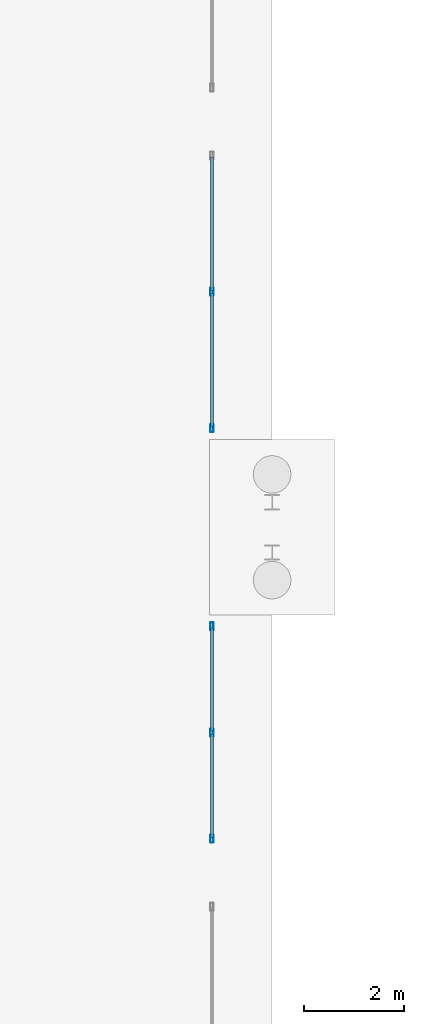
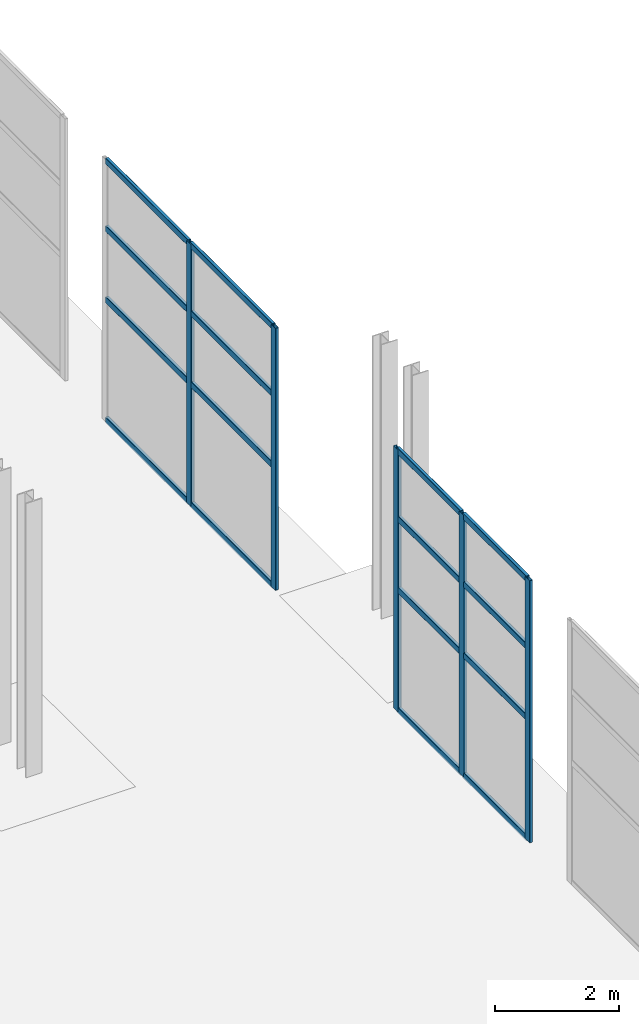
# One storey, part 37 of 91: 21 members, 2 elements without a shape of their own.
"""IFC4 building model written with IfcOpenShell, lengths in metres."""

from ifc_helpers import new_model, si_unit, direction, frame, origin, origin_2d, place, context, subcontext, project, spatial, hollow_rectangle, extrude, material, material_profile, profile_set, type_object, element, aggregate, save


model = new_model("IFC4")

# Units and contexts
model_context = context("Model", 3, precision=1e-05, world=origin(), true_north=direction((0.0, 1.0)))
body_context = subcontext(model_context, "Body", "Model", "MODEL_VIEW")
ifc_project = project(units=[si_unit("LENGTHUNIT", "METRE"), si_unit("AREAUNIT", "SQUARE_METRE"), si_unit("VOLUMEUNIT", "CUBIC_METRE"), si_unit("PLANEANGLEUNIT", "RADIAN"), si_unit("MASSUNIT", "GRAM", prefix="KILO")], contexts=[model_context])

# Site, building, storey
site_placement = place(None, origin())
site = spatial("IfcSite", under=ifc_project, at=site_placement, CompositionType="ELEMENT")
building_placement = place(site_placement, origin())
building = spatial("IfcBuilding", under=site, at=building_placement, Name="Bramveld Media Centre", CompositionType="ELEMENT")
storey_placement = place(building_placement, origin())
storey = spatial("IfcBuildingStorey", under=building, at=storey_placement, Name="L00", CompositionType="ELEMENT", Elevation=0.0)

# Curtain wall, members
ifc_material_1 = material(Name="Thermally broken anodized bronze aluminium unitized curtain wall with solar-control triple glazing", Category="aluminium")
curtain_wall_type_1 = type_object("IfcCurtainWallType", Name="CW-GAL-4300x5160", PredefinedType="NOTDEFINED", material=ifc_material_1)
curtain_wall_1_placement = place(storey_placement, origin())
curtain_wall_1 = element("IfcCurtainWall", 1, at=curtain_wall_1_placement, inside=storey, type_object=curtain_wall_type_1, Name="COLN-E colonnade glazed screen 2", PredefinedType="NOTDEFINED")
ifc_material_2 = material(Name="Thermally broken anodized bronze aluminium EN AW-6063 T6 curtain-wall framing", Category="aluminium")
ifc_material_profile_1 = material_profile(ifc_material_2, hollow_rectangle(XDim=0.06005859375, YDim=0.159912109375, WallThickness=0.00390625, InnerFilletRadius=0.00390625, OuterFilletRadius=0.008056640625, at=origin_2d()), Name="AL-MULL 60x160")
ifc_profile_set_1 = profile_set([ifc_material_profile_1], Name="Thermally broken anodized bronze aluminium EN AW-6063 T6 curtain-wall framing")
member_type_1 = type_object("IfcMemberType", Name="CW-MULL-EXT", PredefinedType="MULLION", material=ifc_profile_set_1)
member_1_placement = place(storey_placement, frame((34.800048828125, 75.8798828125, 0.0), z_axis=(0.0, 0.0, 1.0), x_axis=(-1.0, 0.0, 0.0)))
member_1 = element("IfcMember", 2, at=member_1_placement, type_object=member_type_1, Name="CW-GA-4351 mullion 1", PredefinedType="MULLION", context=body_context, shape_type="SweptSolid", body=[
    extrude(hollow_rectangle(XDim=0.06005859375, YDim=0.159912109375, WallThickness=0.00390625, InnerFilletRadius=0.00390625, OuterFilletRadius=0.008056640625, at=origin_2d()), origin(), (0.0, 0.0, 1.0), 5.159912109375),
])
member_2_placement = place(storey_placement, frame((34.800048828125, 78.0, 0.0), z_axis=(0.0, 0.0, 1.0), x_axis=(-1.0, 0.0, 0.0)))
member_2 = element("IfcMember", 3, at=member_2_placement, type_object=member_type_1, Name="CW-GA-4351 mullion 2", PredefinedType="MULLION", context=body_context, shape_type="SweptSolid", body=[
    extrude(hollow_rectangle(XDim=0.06005859375, YDim=0.159912109375, WallThickness=0.00390625, InnerFilletRadius=0.00390625, OuterFilletRadius=0.008056640625, at=origin_2d()), origin(), (0.0, 0.0, 1.0), 5.159912109375),
])
member_3_placement = place(storey_placement, frame((34.800048828125, 80.1201171875, 0.0), z_axis=(0.0, 0.0, 1.0), x_axis=(-1.0, 0.0, 0.0)))
member_3 = element("IfcMember", 4, at=member_3_placement, type_object=member_type_1, Name="CW-GA-4351 mullion 3", PredefinedType="MULLION", context=body_context, shape_type="SweptSolid", body=[
    extrude(hollow_rectangle(XDim=0.06005859375, YDim=0.159912109375, WallThickness=0.00390625, InnerFilletRadius=0.00390625, OuterFilletRadius=0.008056640625, at=origin_2d()), origin(), (0.0, 0.0, 1.0), 5.159912109375),
])

ifc_material_3 = material(Name="Thermally broken anodized bronze aluminium unitized curtain wall with solar-control triple glazing", Category="aluminium")
curtain_wall_type_2 = type_object("IfcCurtainWallType", Name="CW-GAL-5500x5160", PredefinedType="NOTDEFINED", material=ifc_material_3)
curtain_wall_2_placement = place(storey_placement, origin())
curtain_wall_2 = element("IfcCurtainWall", 5, at=curtain_wall_2_placement, inside=storey, type_object=curtain_wall_type_2, Name="COLN-E colonnade glazed screen 4", PredefinedType="NOTDEFINED")
member_4_placement = place(storey_placement, frame((34.800048828125, 84.080078125, 0.0), z_axis=(0.0, 0.0, 1.0), x_axis=(-1.0, 0.0, 0.0)))
member_4 = element("IfcMember", 6, at=member_4_placement, type_object=member_type_1, Name="CW-GA-5551 mullion 1", PredefinedType="MULLION", context=body_context, shape_type="SweptSolid", body=[
    extrude(hollow_rectangle(XDim=0.06005859375, YDim=0.159912109375, WallThickness=0.00390625, InnerFilletRadius=0.00390625, OuterFilletRadius=0.008056640625, at=origin_2d()), origin(), (0.0, 0.0, 1.0), 5.159912109375),
])
member_5_placement = place(storey_placement, frame((34.800048828125, 86.800048828125, 0.0), z_axis=(0.0, 0.0, 1.0), x_axis=(-1.0, 0.0, 0.0)))
member_5 = element("IfcMember", 7, at=member_5_placement, type_object=member_type_1, Name="CW-GA-5551 mullion 2", PredefinedType="MULLION", context=body_context, shape_type="SweptSolid", body=[
    extrude(hollow_rectangle(XDim=0.06005859375, YDim=0.159912109375, WallThickness=0.00390625, InnerFilletRadius=0.00390625, OuterFilletRadius=0.008056640625, at=origin_2d()), origin(), (0.0, 0.0, 1.0), 5.159912109375),
])

# Member
ifc_material_4 = material(Name="Thermally broken anodized bronze aluminium EN AW-6063 T6 curtain-wall framing", Category="aluminium")
ifc_material_profile_2 = material_profile(ifc_material_4, hollow_rectangle(XDim=0.06005859375, YDim=0.1201171875, WallThickness=0.00341796875, InnerFilletRadius=0.00341796875, OuterFilletRadius=0.007080078125, at=origin_2d()), Name="AL-TRAN 60x120")
ifc_profile_set_2 = profile_set([ifc_material_profile_2], Name="Thermally broken anodized bronze aluminium EN AW-6063 T6 curtain-wall framing")
member_type_2 = type_object("IfcMemberType", Name="CW-TRAN-EXT", PredefinedType="USERDEFINED", material=ifc_profile_set_2)
member_6_placement = place(storey_placement, frame((34.800048828125, 75.909912109375, 0.030029296875), z_axis=(0.0, 1.0, 0.0), x_axis=(-1.0, 0.0, 0.0)))
member_6 = element("IfcMember", 8, at=member_6_placement, type_object=member_type_2, Name="CW-GA-4351 transom 1.1", ObjectType="TRANSOM", PredefinedType="USERDEFINED", context=body_context, shape_type="SweptSolid", body=[
    extrude(hollow_rectangle(XDim=0.06005859375, YDim=0.1201171875, WallThickness=0.00341796875, InnerFilletRadius=0.00341796875, OuterFilletRadius=0.007080078125, at=origin_2d()), origin(), (0.0, 0.0, 1.0), 2.06005859375),
])

member_7_placement = place(storey_placement, frame((34.800048828125, 75.909912109375, 2.39990234375), z_axis=(0.0, 1.0, 0.0), x_axis=(-1.0, 0.0, 0.0)))
member_7 = element("IfcMember", 9, at=member_7_placement, type_object=member_type_2, Name="CW-GA-4351 transom 1.2", ObjectType="TRANSOM", PredefinedType="USERDEFINED", context=body_context, shape_type="SweptSolid", body=[
    extrude(hollow_rectangle(XDim=0.06005859375, YDim=0.1201171875, WallThickness=0.00341796875, InnerFilletRadius=0.00341796875, OuterFilletRadius=0.007080078125, at=origin_2d()), origin(), (0.0, 0.0, 1.0), 2.06005859375),
])

member_8_placement = place(storey_placement, frame((34.800048828125, 75.909912109375, 3.800048828125), z_axis=(0.0, 1.0, 0.0), x_axis=(-1.0, 0.0, 0.0)))
member_8 = element("IfcMember", 10, at=member_8_placement, type_object=member_type_2, Name="CW-GA-4351 transom 1.3", ObjectType="TRANSOM", PredefinedType="USERDEFINED", context=body_context, shape_type="SweptSolid", body=[
    extrude(hollow_rectangle(XDim=0.06005859375, YDim=0.1201171875, WallThickness=0.00341796875, InnerFilletRadius=0.00341796875, OuterFilletRadius=0.007080078125, at=origin_2d()), origin(), (0.0, 0.0, 1.0), 2.06005859375),
])

member_9_placement = place(storey_placement, frame((34.800048828125, 75.909912109375, 5.1298828125), z_axis=(0.0, 1.0, 0.0), x_axis=(-1.0, 0.0, 0.0)))
member_9 = element("IfcMember", 11, at=member_9_placement, type_object=member_type_2, Name="CW-GA-4351 transom 1.4", ObjectType="TRANSOM", PredefinedType="USERDEFINED", context=body_context, shape_type="SweptSolid", body=[
    extrude(hollow_rectangle(XDim=0.06005859375, YDim=0.1201171875, WallThickness=0.00341796875, InnerFilletRadius=0.00341796875, OuterFilletRadius=0.007080078125, at=origin_2d()), origin(), (0.0, 0.0, 1.0), 2.06005859375),
])

member_10_placement = place(storey_placement, frame((34.800048828125, 78.030029296875, 0.030029296875), z_axis=(0.0, 1.0, 0.0), x_axis=(-1.0, 0.0, 0.0)))
member_10 = element("IfcMember", 12, at=member_10_placement, type_object=member_type_2, Name="CW-GA-4351 transom 2.1", ObjectType="TRANSOM", PredefinedType="USERDEFINED", context=body_context, shape_type="SweptSolid", body=[
    extrude(hollow_rectangle(XDim=0.06005859375, YDim=0.1201171875, WallThickness=0.00341796875, InnerFilletRadius=0.00341796875, OuterFilletRadius=0.007080078125, at=origin_2d()), origin(), (0.0, 0.0, 1.0), 2.06005859375),
])

member_11_placement = place(storey_placement, frame((34.800048828125, 78.030029296875, 2.39990234375), z_axis=(0.0, 1.0, 0.0), x_axis=(-1.0, 0.0, 0.0)))
member_11 = element("IfcMember", 13, at=member_11_placement, type_object=member_type_2, Name="CW-GA-4351 transom 2.2", ObjectType="TRANSOM", PredefinedType="USERDEFINED", context=body_context, shape_type="SweptSolid", body=[
    extrude(hollow_rectangle(XDim=0.06005859375, YDim=0.1201171875, WallThickness=0.00341796875, InnerFilletRadius=0.00341796875, OuterFilletRadius=0.007080078125, at=origin_2d()), origin(), (0.0, 0.0, 1.0), 2.06005859375),
])

member_12_placement = place(storey_placement, frame((34.800048828125, 78.030029296875, 3.800048828125), z_axis=(0.0, 1.0, 0.0), x_axis=(-1.0, 0.0, 0.0)))
member_12 = element("IfcMember", 14, at=member_12_placement, type_object=member_type_2, Name="CW-GA-4351 transom 2.3", ObjectType="TRANSOM", PredefinedType="USERDEFINED", context=body_context, shape_type="SweptSolid", body=[
    extrude(hollow_rectangle(XDim=0.06005859375, YDim=0.1201171875, WallThickness=0.00341796875, InnerFilletRadius=0.00341796875, OuterFilletRadius=0.007080078125, at=origin_2d()), origin(), (0.0, 0.0, 1.0), 2.06005859375),
])

member_13_placement = place(storey_placement, frame((34.800048828125, 78.030029296875, 5.1298828125), z_axis=(0.0, 1.0, 0.0), x_axis=(-1.0, 0.0, 0.0)))
member_13 = element("IfcMember", 15, at=member_13_placement, type_object=member_type_2, Name="CW-GA-4351 transom 2.4", ObjectType="TRANSOM", PredefinedType="USERDEFINED", context=body_context, shape_type="SweptSolid", body=[
    extrude(hollow_rectangle(XDim=0.06005859375, YDim=0.1201171875, WallThickness=0.00341796875, InnerFilletRadius=0.00341796875, OuterFilletRadius=0.007080078125, at=origin_2d()), origin(), (0.0, 0.0, 1.0), 2.06005859375),
])

aggregate(curtain_wall_1, [member_1, member_2, member_3, member_6, member_7, member_8, member_9, member_10, member_11, member_12, member_13])

member_14_placement = place(storey_placement, frame((34.800048828125, 84.110107421875, 0.030029296875), z_axis=(0.0, 1.0, 0.0), x_axis=(-1.0, 0.0, 0.0)))
member_14 = element("IfcMember", 16, at=member_14_placement, type_object=member_type_2, Name="CW-GA-5551 transom 1.1", ObjectType="TRANSOM", PredefinedType="USERDEFINED", context=body_context, shape_type="SweptSolid", body=[
    extrude(hollow_rectangle(XDim=0.06005859375, YDim=0.1201171875, WallThickness=0.00341796875, InnerFilletRadius=0.00341796875, OuterFilletRadius=0.007080078125, at=origin_2d()), origin(), (0.0, 0.0, 1.0), 2.659912109375),
])

member_15_placement = place(storey_placement, frame((34.800048828125, 84.110107421875, 2.39990234375), z_axis=(0.0, 1.0, 0.0), x_axis=(-1.0, 0.0, 0.0)))
member_15 = element("IfcMember", 17, at=member_15_placement, type_object=member_type_2, Name="CW-GA-5551 transom 1.2", ObjectType="TRANSOM", PredefinedType="USERDEFINED", context=body_context, shape_type="SweptSolid", body=[
    extrude(hollow_rectangle(XDim=0.06005859375, YDim=0.1201171875, WallThickness=0.00341796875, InnerFilletRadius=0.00341796875, OuterFilletRadius=0.007080078125, at=origin_2d()), origin(), (0.0, 0.0, 1.0), 2.659912109375),
])

member_16_placement = place(storey_placement, frame((34.800048828125, 84.110107421875, 3.800048828125), z_axis=(0.0, 1.0, 0.0), x_axis=(-1.0, 0.0, 0.0)))
member_16 = element("IfcMember", 18, at=member_16_placement, type_object=member_type_2, Name="CW-GA-5551 transom 1.3", ObjectType="TRANSOM", PredefinedType="USERDEFINED", context=body_context, shape_type="SweptSolid", body=[
    extrude(hollow_rectangle(XDim=0.06005859375, YDim=0.1201171875, WallThickness=0.00341796875, InnerFilletRadius=0.00341796875, OuterFilletRadius=0.007080078125, at=origin_2d()), origin(), (0.0, 0.0, 1.0), 2.659912109375),
])

member_17_placement = place(storey_placement, frame((34.800048828125, 84.110107421875, 5.1298828125), z_axis=(0.0, 1.0, 0.0), x_axis=(-1.0, 0.0, 0.0)))
member_17 = element("IfcMember", 19, at=member_17_placement, type_object=member_type_2, Name="CW-GA-5551 transom 1.4", ObjectType="TRANSOM", PredefinedType="USERDEFINED", context=body_context, shape_type="SweptSolid", body=[
    extrude(hollow_rectangle(XDim=0.06005859375, YDim=0.1201171875, WallThickness=0.00341796875, InnerFilletRadius=0.00341796875, OuterFilletRadius=0.007080078125, at=origin_2d()), origin(), (0.0, 0.0, 1.0), 2.659912109375),
])

member_18_placement = place(storey_placement, frame((34.800048828125, 86.830078125, 0.030029296875), z_axis=(0.0, 1.0, 0.0), x_axis=(-1.0, 0.0, 0.0)))
member_18 = element("IfcMember", 20, at=member_18_placement, type_object=member_type_2, Name="CW-GA-5551 transom 2.1", ObjectType="TRANSOM", PredefinedType="USERDEFINED", context=body_context, shape_type="SweptSolid", body=[
    extrude(hollow_rectangle(XDim=0.06005859375, YDim=0.1201171875, WallThickness=0.00341796875, InnerFilletRadius=0.00341796875, OuterFilletRadius=0.007080078125, at=origin_2d()), origin(), (0.0, 0.0, 1.0), 2.659912109375),
])

member_19_placement = place(storey_placement, frame((34.800048828125, 86.830078125, 2.39990234375), z_axis=(0.0, 1.0, 0.0), x_axis=(-1.0, 0.0, 0.0)))
member_19 = element("IfcMember", 21, at=member_19_placement, type_object=member_type_2, Name="CW-GA-5551 transom 2.2", ObjectType="TRANSOM", PredefinedType="USERDEFINED", context=body_context, shape_type="SweptSolid", body=[
    extrude(hollow_rectangle(XDim=0.06005859375, YDim=0.1201171875, WallThickness=0.00341796875, InnerFilletRadius=0.00341796875, OuterFilletRadius=0.007080078125, at=origin_2d()), origin(), (0.0, 0.0, 1.0), 2.659912109375),
])

member_20_placement = place(storey_placement, frame((34.800048828125, 86.830078125, 3.800048828125), z_axis=(0.0, 1.0, 0.0), x_axis=(-1.0, 0.0, 0.0)))
member_20 = element("IfcMember", 22, at=member_20_placement, type_object=member_type_2, Name="CW-GA-5551 transom 2.3", ObjectType="TRANSOM", PredefinedType="USERDEFINED", context=body_context, shape_type="SweptSolid", body=[
    extrude(hollow_rectangle(XDim=0.06005859375, YDim=0.1201171875, WallThickness=0.00341796875, InnerFilletRadius=0.00341796875, OuterFilletRadius=0.007080078125, at=origin_2d()), origin(), (0.0, 0.0, 1.0), 2.659912109375),
])

member_21_placement = place(storey_placement, frame((34.800048828125, 86.830078125, 5.1298828125), z_axis=(0.0, 1.0, 0.0), x_axis=(-1.0, 0.0, 0.0)))
member_21 = element("IfcMember", 23, at=member_21_placement, type_object=member_type_2, Name="CW-GA-5551 transom 2.4", ObjectType="TRANSOM", PredefinedType="USERDEFINED", context=body_context, shape_type="SweptSolid", body=[
    extrude(hollow_rectangle(XDim=0.06005859375, YDim=0.1201171875, WallThickness=0.00341796875, InnerFilletRadius=0.00341796875, OuterFilletRadius=0.007080078125, at=origin_2d()), origin(), (0.0, 0.0, 1.0), 2.659912109375),
])

aggregate(curtain_wall_2, [member_4, member_5, member_14, member_15, member_16, member_17, member_18, member_19, member_20, member_21])

save(model, "model.ifc")
